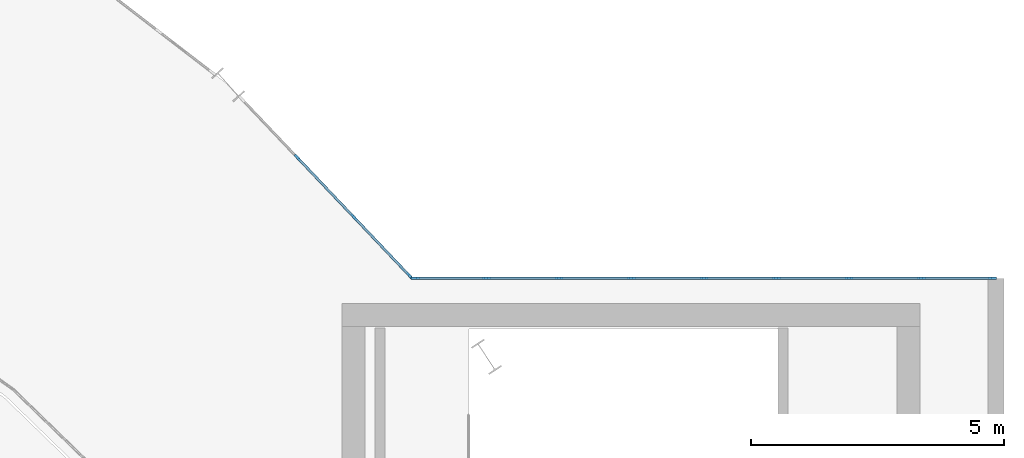
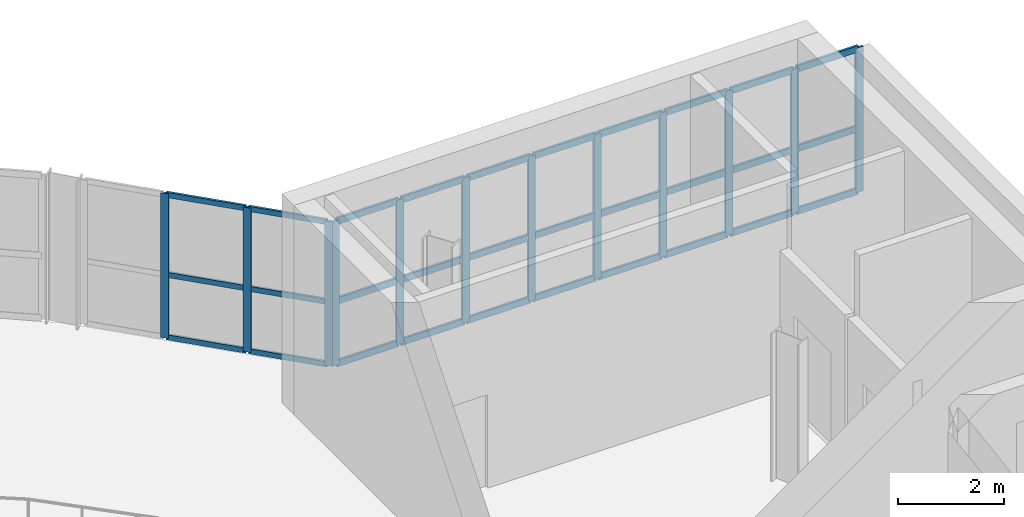
# One storey, part 22 of 40: 42 members, 2 elements without a shape of their own.
"""IFC4 building model written with IfcOpenShell, lengths in metres."""

from ifc_helpers import new_model, si_unit, direction, frame, origin, origin_2d, place, context, subcontext, project, spatial, rectangle, extrude, material, material_profile, profile_set, type_object, element, aggregate, save


model = new_model("IFC4")

# Units and contexts
model_context = context("Model", 3, precision=1e-05, world=origin(), true_north=direction((0.0, 1.0)))
body_context = subcontext(model_context, "Body", "Model", "MODEL_VIEW")
ifc_project = project(units=[si_unit("LENGTHUNIT", "METRE"), si_unit("AREAUNIT", "SQUARE_METRE"), si_unit("VOLUMEUNIT", "CUBIC_METRE"), si_unit("PLANEANGLEUNIT", "RADIAN"), si_unit("MASSUNIT", "GRAM", prefix="KILO")], contexts=[model_context])

# Site, building, storey
site_placement = place(None, origin())
site = spatial("IfcSite", under=ifc_project, at=site_placement, CompositionType="ELEMENT")
building_placement = place(site_placement, origin())
building = spatial("IfcBuilding", under=site, at=building_placement, Name="Glasvene Arena", CompositionType="ELEMENT")
storey_placement = place(building_placement, frame((0.0, 0.0, 24.0)))
storey = spatial("IfcBuildingStorey", under=building, at=storey_placement, Name="L05", CompositionType="ELEMENT", Elevation=24.0)

# Curtain wall, members
ifc_material_1 = material(Name="Low-emissivity laminated double glazing", Category="glass")
curtain_wall_type_1 = type_object("IfcCurtainWallType", Name="CW-FAC-L05-486x332", PredefinedType="USERDEFINED", material=ifc_material_1)
curtain_wall_1_placement = place(storey_placement, frame((127.60791015625, 104.553466796875, 0.0)))
curtain_wall_1 = element("IfcCurtainWall", 1, at=curtain_wall_1_placement, inside=storey, type_object=curtain_wall_type_1, Name="Unitised curtain wall CW-F-L05-150-1293-1028-24", ObjectType="CURTAIN WALL", PredefinedType="USERDEFINED")
ifc_material_2 = material(Name="Anodised architectural aluminium", Category="aluminium")
ifc_material_profile_1 = material_profile(ifc_material_2, rectangle(XDim=0.050048828125, YDim=0.159912109375, at=origin_2d()), Name="ALU MULLION 50x160")
ifc_profile_set_1 = profile_set([ifc_material_profile_1], Name="Anodised architectural aluminium")
member_type_1 = type_object("IfcMemberType", Name="CW-MUL-150", PredefinedType="MULLION", material=ifc_profile_set_1)
member_1_placement = place(storey_placement, frame((128.722900390625, 103.378662109375, 0.06005859375), z_axis=(0.0, 0.0, 1.0), x_axis=(0.725366727026, 0.688362630685, 0.0)))
member_1 = element("IfcMember", 2, at=member_1_placement, type_object=member_type_1, Name="CW-060 mullion 2", PredefinedType="MULLION", context=body_context, shape_type="SweptSolid", body=[
    extrude(rectangle(XDim=0.050048828125, YDim=0.159912109375, at=origin_2d()), origin(), (0.0, 0.0, 1.0), 3.31982421875),
])
member_2_placement = place(storey_placement, frame((129.837890625, 102.203857421875, 0.06005859375), z_axis=(0.0, 0.0, 1.0), x_axis=(0.725366727026, 0.688362630685, 0.0)))
member_2 = element("IfcMember", 3, at=member_2_placement, type_object=member_type_1, Name="CW-060 mullion 3", PredefinedType="MULLION", context=body_context, shape_type="SweptSolid", body=[
    extrude(rectangle(XDim=0.050048828125, YDim=0.159912109375, at=origin_2d()), origin(), (0.0, 0.0, 1.0), 3.31982421875),
])
member_3_placement = place(storey_placement, frame((130.935546875, 101.047119140625, 0.06005859375), z_axis=(0.0, 0.0, 1.0), x_axis=(0.725366727026, 0.688362630685, 0.0)))
member_3 = element("IfcMember", 4, at=member_3_placement, type_object=member_type_1, Name="CW-060 mullion 4", PredefinedType="MULLION", context=body_context, shape_type="SweptSolid", body=[
    extrude(rectangle(XDim=0.050048828125, YDim=0.159912109375, at=origin_2d()), origin(), (0.0, 0.0, 1.0), 3.31982421875),
])

curtain_wall_type_2 = type_object("IfcCurtainWallType", Name="CW-FAC-L05-1144x332", PredefinedType="USERDEFINED", material=ifc_material_1)
curtain_wall_2_placement = place(storey_placement, frame((131.020263671875, 101.0, 0.0)))
curtain_wall_2 = element("IfcCurtainWall", 5, at=curtain_wall_2_placement, inside=storey, type_object=curtain_wall_type_2, Name="Unitised curtain wall CW-F-L05-150-1367-1010-25", ObjectType="CURTAIN WALL", PredefinedType="USERDEFINED")
member_4_placement = place(storey_placement, frame((131.045166015625, 101.0, 0.06005859375), z_axis=(0.0, 0.0, 1.0), x_axis=(0.0, 1.0, 0.0)))
member_4 = element("IfcMember", 6, at=member_4_placement, type_object=member_type_1, Name="CW-066 mullion 1", PredefinedType="MULLION", context=body_context, shape_type="SweptSolid", body=[
    extrude(rectangle(XDim=0.050048828125, YDim=0.159912109375, at=origin_2d()), origin(), (0.0, 0.0, 1.0), 3.31982421875),
])
member_5_placement = place(storey_placement, frame((132.4501953125, 101.0, 0.06005859375), z_axis=(0.0, 0.0, 1.0), x_axis=(0.0, 1.0, 0.0)))
member_5 = element("IfcMember", 7, at=member_5_placement, type_object=member_type_1, Name="CW-066 mullion 2", PredefinedType="MULLION", context=body_context, shape_type="SweptSolid", body=[
    extrude(rectangle(XDim=0.050048828125, YDim=0.159912109375, at=origin_2d()), origin(), (0.0, 0.0, 1.0), 3.31982421875),
])
member_6_placement = place(storey_placement, frame((133.880126953125, 101.0, 0.06005859375), z_axis=(0.0, 0.0, 1.0), x_axis=(0.0, 1.0, 0.0)))
member_6 = element("IfcMember", 8, at=member_6_placement, type_object=member_type_1, Name="CW-066 mullion 3", PredefinedType="MULLION", context=body_context, shape_type="SweptSolid", body=[
    extrude(rectangle(XDim=0.050048828125, YDim=0.159912109375, at=origin_2d()), origin(), (0.0, 0.0, 1.0), 3.31982421875),
])
member_7_placement = place(storey_placement, frame((135.31005859375, 101.0, 0.06005859375), z_axis=(0.0, 0.0, 1.0), x_axis=(0.0, 1.0, 0.0)))
member_7 = element("IfcMember", 9, at=member_7_placement, type_object=member_type_1, Name="CW-066 mullion 4", PredefinedType="MULLION", context=body_context, shape_type="SweptSolid", body=[
    extrude(rectangle(XDim=0.050048828125, YDim=0.159912109375, at=origin_2d()), origin(), (0.0, 0.0, 1.0), 3.31982421875),
])
member_8_placement = place(storey_placement, frame((136.739990234375, 101.0, 0.06005859375), z_axis=(0.0, 0.0, 1.0), x_axis=(0.0, 1.0, 0.0)))
member_8 = element("IfcMember", 10, at=member_8_placement, type_object=member_type_1, Name="CW-066 mullion 5", PredefinedType="MULLION", context=body_context, shape_type="SweptSolid", body=[
    extrude(rectangle(XDim=0.050048828125, YDim=0.159912109375, at=origin_2d()), origin(), (0.0, 0.0, 1.0), 3.31982421875),
])
member_9_placement = place(storey_placement, frame((138.170166015625, 101.0, 0.06005859375), z_axis=(0.0, 0.0, 1.0), x_axis=(0.0, 1.0, 0.0)))
member_9 = element("IfcMember", 11, at=member_9_placement, type_object=member_type_1, Name="CW-066 mullion 6", PredefinedType="MULLION", context=body_context, shape_type="SweptSolid", body=[
    extrude(rectangle(XDim=0.050048828125, YDim=0.159912109375, at=origin_2d()), origin(), (0.0, 0.0, 1.0), 3.31982421875),
])
member_10_placement = place(storey_placement, frame((139.60009765625, 101.0, 0.06005859375), z_axis=(0.0, 0.0, 1.0), x_axis=(0.0, 1.0, 0.0)))
member_10 = element("IfcMember", 12, at=member_10_placement, type_object=member_type_1, Name="CW-066 mullion 7", PredefinedType="MULLION", context=body_context, shape_type="SweptSolid", body=[
    extrude(rectangle(XDim=0.050048828125, YDim=0.159912109375, at=origin_2d()), origin(), (0.0, 0.0, 1.0), 3.31982421875),
])
member_11_placement = place(storey_placement, frame((141.030029296875, 101.0, 0.06005859375), z_axis=(0.0, 0.0, 1.0), x_axis=(0.0, 1.0, 0.0)))
member_11 = element("IfcMember", 13, at=member_11_placement, type_object=member_type_1, Name="CW-066 mullion 8", PredefinedType="MULLION", context=body_context, shape_type="SweptSolid", body=[
    extrude(rectangle(XDim=0.050048828125, YDim=0.159912109375, at=origin_2d()), origin(), (0.0, 0.0, 1.0), 3.31982421875),
])
member_12_placement = place(storey_placement, frame((142.43505859375, 101.0, 0.06005859375), z_axis=(0.0, 0.0, 1.0), x_axis=(0.0, 1.0, 0.0)))
member_12 = element("IfcMember", 14, at=member_12_placement, type_object=member_type_1, Name="CW-066 mullion 9", PredefinedType="MULLION", context=body_context, shape_type="SweptSolid", body=[
    extrude(rectangle(XDim=0.050048828125, YDim=0.159912109375, at=origin_2d()), origin(), (0.0, 0.0, 1.0), 3.31982421875),
])

# Member
ifc_material_profile_2 = material_profile(ifc_material_2, rectangle(XDim=0.050048828125, YDim=0.1201171875, at=origin_2d()), Name="ALU TRANSOM 50x120")
ifc_profile_set_2 = profile_set([ifc_material_profile_2], Name="Anodised architectural aluminium")
member_type_2 = type_object("IfcMemberType", Name="CW-TRN-120", PredefinedType="USERDEFINED", material=ifc_profile_set_2)
member_13_placement = place(storey_placement, frame((128.739990234375, 103.360595703125, 0.0849609375), z_axis=(0.688356970183, -0.72537209872, 0.0), x_axis=(0.72537209872, 0.688356970183, 0.0)))
member_13 = element("IfcMember", 15, at=member_13_placement, type_object=member_type_2, Name="CW-060 transom 2.1", ObjectType="TRANSOM", PredefinedType="USERDEFINED", context=body_context, shape_type="SweptSolid", body=[
    extrude(rectangle(XDim=0.050048828125, YDim=0.1201171875, at=origin_2d()), origin(), (0.0, 0.0, 1.0), 1.56982421875),
])

member_14_placement = place(storey_placement, frame((128.739990234375, 103.360595703125, 1.52099609375), z_axis=(0.688356970183, -0.72537209872, 0.0), x_axis=(0.72537209872, 0.688356970183, 0.0)))
member_14 = element("IfcMember", 16, at=member_14_placement, type_object=member_type_2, Name="CW-060 transom 2.2", ObjectType="TRANSOM", PredefinedType="USERDEFINED", context=body_context, shape_type="SweptSolid", body=[
    extrude(rectangle(XDim=0.050048828125, YDim=0.1201171875, at=origin_2d()), origin(), (0.0, 0.0, 1.0), 1.56982421875),
])

member_15_placement = place(storey_placement, frame((128.739990234375, 103.360595703125, 3.35498046875), z_axis=(0.688356970183, -0.72537209872, 0.0), x_axis=(0.72537209872, 0.688356970183, 0.0)))
member_15 = element("IfcMember", 17, at=member_15_placement, type_object=member_type_2, Name="CW-060 transom 2.3", ObjectType="TRANSOM", PredefinedType="USERDEFINED", context=body_context, shape_type="SweptSolid", body=[
    extrude(rectangle(XDim=0.050048828125, YDim=0.1201171875, at=origin_2d()), origin(), (0.0, 0.0, 1.0), 1.56982421875),
])

member_16_placement = place(storey_placement, frame((129.85498046875, 102.185791015625, 0.0849609375), z_axis=(0.688292423357, -0.725433346317, 0.0), x_axis=(0.725433346317, 0.688292423357, 0.0)))
member_16 = element("IfcMember", 18, at=member_16_placement, type_object=member_type_2, Name="CW-060 transom 3.1", ObjectType="TRANSOM", PredefinedType="USERDEFINED", context=body_context, shape_type="SweptSolid", body=[
    extrude(rectangle(XDim=0.050048828125, YDim=0.1201171875, at=origin_2d()), origin(), (0.0, 0.0, 1.0), 1.544677734375),
])

member_17_placement = place(storey_placement, frame((129.85498046875, 102.185791015625, 1.52099609375), z_axis=(0.688292423357, -0.725433346317, 0.0), x_axis=(0.725433346317, 0.688292423357, 0.0)))
member_17 = element("IfcMember", 19, at=member_17_placement, type_object=member_type_2, Name="CW-060 transom 3.2", ObjectType="TRANSOM", PredefinedType="USERDEFINED", context=body_context, shape_type="SweptSolid", body=[
    extrude(rectangle(XDim=0.050048828125, YDim=0.1201171875, at=origin_2d()), origin(), (0.0, 0.0, 1.0), 1.544677734375),
])

member_18_placement = place(storey_placement, frame((129.85498046875, 102.185791015625, 3.35498046875), z_axis=(0.688292423357, -0.725433346317, 0.0), x_axis=(0.725433346317, 0.688292423357, 0.0)))
member_18 = element("IfcMember", 20, at=member_18_placement, type_object=member_type_2, Name="CW-060 transom 3.3", ObjectType="TRANSOM", PredefinedType="USERDEFINED", context=body_context, shape_type="SweptSolid", body=[
    extrude(rectangle(XDim=0.050048828125, YDim=0.1201171875, at=origin_2d()), origin(), (0.0, 0.0, 1.0), 1.544677734375),
])

aggregate(curtain_wall_1, [member_1, member_2, member_3, member_13, member_14, member_15, member_16, member_17, member_18])

ifc_material_profile_3 = material_profile(ifc_material_2, rectangle(XDim=0.050048828125, YDim=0.14990234375, at=origin_2d()), Name="ALU TRANSOM 50x150")
ifc_profile_set_3 = profile_set([ifc_material_profile_3], Name="Anodised architectural aluminium")
member_type_3 = type_object("IfcMemberType", Name="CW-TRN-150", PredefinedType="USERDEFINED", material=ifc_profile_set_3)
member_19_placement = place(storey_placement, frame((131.0703125, 101.0, 0.0849609375), z_axis=(1.0, 0.0, 0.0), x_axis=(0.0, 1.0, 0.0)))
member_19 = element("IfcMember", 21, at=member_19_placement, type_object=member_type_3, Name="CW-066 transom 1.1", ObjectType="TRANSOM", PredefinedType="USERDEFINED", context=body_context, shape_type="SweptSolid", body=[
    extrude(rectangle(XDim=0.050048828125, YDim=0.14990234375, at=origin_2d()), origin(), (0.0, 0.0, 1.0), 1.35498046875),
])

member_20_placement = place(storey_placement, frame((131.0703125, 101.0, 1.52099609375), z_axis=(1.0, 0.0, 0.0), x_axis=(0.0, 1.0, 0.0)))
member_20 = element("IfcMember", 22, at=member_20_placement, type_object=member_type_3, Name="CW-066 transom 1.2", ObjectType="TRANSOM", PredefinedType="USERDEFINED", context=body_context, shape_type="SweptSolid", body=[
    extrude(rectangle(XDim=0.050048828125, YDim=0.14990234375, at=origin_2d()), origin(), (0.0, 0.0, 1.0), 1.35498046875),
])

member_21_placement = place(storey_placement, frame((131.0703125, 101.0, 3.35498046875), z_axis=(1.0, 0.0, 0.0), x_axis=(0.0, 1.0, 0.0)))
member_21 = element("IfcMember", 23, at=member_21_placement, type_object=member_type_3, Name="CW-066 transom 1.3", ObjectType="TRANSOM", PredefinedType="USERDEFINED", context=body_context, shape_type="SweptSolid", body=[
    extrude(rectangle(XDim=0.050048828125, YDim=0.14990234375, at=origin_2d()), origin(), (0.0, 0.0, 1.0), 1.35498046875),
])

member_22_placement = place(storey_placement, frame((132.47509765625, 101.0, 0.0849609375), z_axis=(1.0, 0.0, 0.0), x_axis=(0.0, 1.0, 0.0)))
member_22 = element("IfcMember", 24, at=member_22_placement, type_object=member_type_3, Name="CW-066 transom 2.1", ObjectType="TRANSOM", PredefinedType="USERDEFINED", context=body_context, shape_type="SweptSolid", body=[
    extrude(rectangle(XDim=0.050048828125, YDim=0.14990234375, at=origin_2d()), origin(), (0.0, 0.0, 1.0), 1.380126953125),
])

member_23_placement = place(storey_placement, frame((132.47509765625, 101.0, 1.52099609375), z_axis=(1.0, 0.0, 0.0), x_axis=(0.0, 1.0, 0.0)))
member_23 = element("IfcMember", 25, at=member_23_placement, type_object=member_type_3, Name="CW-066 transom 2.2", ObjectType="TRANSOM", PredefinedType="USERDEFINED", context=body_context, shape_type="SweptSolid", body=[
    extrude(rectangle(XDim=0.050048828125, YDim=0.14990234375, at=origin_2d()), origin(), (0.0, 0.0, 1.0), 1.380126953125),
])

member_24_placement = place(storey_placement, frame((132.47509765625, 101.0, 3.35498046875), z_axis=(1.0, 0.0, 0.0), x_axis=(0.0, 1.0, 0.0)))
member_24 = element("IfcMember", 26, at=member_24_placement, type_object=member_type_3, Name="CW-066 transom 2.3", ObjectType="TRANSOM", PredefinedType="USERDEFINED", context=body_context, shape_type="SweptSolid", body=[
    extrude(rectangle(XDim=0.050048828125, YDim=0.14990234375, at=origin_2d()), origin(), (0.0, 0.0, 1.0), 1.380126953125),
])

member_25_placement = place(storey_placement, frame((133.905029296875, 101.0, 0.0849609375), z_axis=(1.0, 0.0, 0.0), x_axis=(0.0, 1.0, 0.0)))
member_25 = element("IfcMember", 27, at=member_25_placement, type_object=member_type_3, Name="CW-066 transom 3.1", ObjectType="TRANSOM", PredefinedType="USERDEFINED", context=body_context, shape_type="SweptSolid", body=[
    extrude(rectangle(XDim=0.050048828125, YDim=0.14990234375, at=origin_2d()), origin(), (0.0, 0.0, 1.0), 1.380126953125),
])

member_26_placement = place(storey_placement, frame((133.905029296875, 101.0, 1.52099609375), z_axis=(1.0, 0.0, 0.0), x_axis=(0.0, 1.0, 0.0)))
member_26 = element("IfcMember", 28, at=member_26_placement, type_object=member_type_3, Name="CW-066 transom 3.2", ObjectType="TRANSOM", PredefinedType="USERDEFINED", context=body_context, shape_type="SweptSolid", body=[
    extrude(rectangle(XDim=0.050048828125, YDim=0.14990234375, at=origin_2d()), origin(), (0.0, 0.0, 1.0), 1.380126953125),
])

member_27_placement = place(storey_placement, frame((133.905029296875, 101.0, 3.35498046875), z_axis=(1.0, 0.0, 0.0), x_axis=(0.0, 1.0, 0.0)))
member_27 = element("IfcMember", 29, at=member_27_placement, type_object=member_type_3, Name="CW-066 transom 3.3", ObjectType="TRANSOM", PredefinedType="USERDEFINED", context=body_context, shape_type="SweptSolid", body=[
    extrude(rectangle(XDim=0.050048828125, YDim=0.14990234375, at=origin_2d()), origin(), (0.0, 0.0, 1.0), 1.380126953125),
])

member_28_placement = place(storey_placement, frame((135.335205078125, 101.0, 0.0849609375), z_axis=(1.0, 0.0, 0.0), x_axis=(0.0, 1.0, 0.0)))
member_28 = element("IfcMember", 30, at=member_28_placement, type_object=member_type_3, Name="CW-066 transom 4.1", ObjectType="TRANSOM", PredefinedType="USERDEFINED", context=body_context, shape_type="SweptSolid", body=[
    extrude(rectangle(XDim=0.050048828125, YDim=0.14990234375, at=origin_2d()), origin(), (0.0, 0.0, 1.0), 1.3798828125),
])

member_29_placement = place(storey_placement, frame((135.335205078125, 101.0, 1.52099609375), z_axis=(1.0, 0.0, 0.0), x_axis=(0.0, 1.0, 0.0)))
member_29 = element("IfcMember", 31, at=member_29_placement, type_object=member_type_3, Name="CW-066 transom 4.2", ObjectType="TRANSOM", PredefinedType="USERDEFINED", context=body_context, shape_type="SweptSolid", body=[
    extrude(rectangle(XDim=0.050048828125, YDim=0.14990234375, at=origin_2d()), origin(), (0.0, 0.0, 1.0), 1.3798828125),
])

member_30_placement = place(storey_placement, frame((135.335205078125, 101.0, 3.35498046875), z_axis=(1.0, 0.0, 0.0), x_axis=(0.0, 1.0, 0.0)))
member_30 = element("IfcMember", 32, at=member_30_placement, type_object=member_type_3, Name="CW-066 transom 4.3", ObjectType="TRANSOM", PredefinedType="USERDEFINED", context=body_context, shape_type="SweptSolid", body=[
    extrude(rectangle(XDim=0.050048828125, YDim=0.14990234375, at=origin_2d()), origin(), (0.0, 0.0, 1.0), 1.3798828125),
])

member_31_placement = place(storey_placement, frame((136.76513671875, 101.0, 0.0849609375), z_axis=(1.0, 0.0, 0.0), x_axis=(0.0, 1.0, 0.0)))
member_31 = element("IfcMember", 33, at=member_31_placement, type_object=member_type_3, Name="CW-066 transom 5.1", ObjectType="TRANSOM", PredefinedType="USERDEFINED", context=body_context, shape_type="SweptSolid", body=[
    extrude(rectangle(XDim=0.050048828125, YDim=0.14990234375, at=origin_2d()), origin(), (0.0, 0.0, 1.0), 1.3798828125),
])

member_32_placement = place(storey_placement, frame((136.76513671875, 101.0, 1.52099609375), z_axis=(1.0, 0.0, 0.0), x_axis=(0.0, 1.0, 0.0)))
member_32 = element("IfcMember", 34, at=member_32_placement, type_object=member_type_3, Name="CW-066 transom 5.2", ObjectType="TRANSOM", PredefinedType="USERDEFINED", context=body_context, shape_type="SweptSolid", body=[
    extrude(rectangle(XDim=0.050048828125, YDim=0.14990234375, at=origin_2d()), origin(), (0.0, 0.0, 1.0), 1.3798828125),
])

member_33_placement = place(storey_placement, frame((136.76513671875, 101.0, 3.35498046875), z_axis=(1.0, 0.0, 0.0), x_axis=(0.0, 1.0, 0.0)))
member_33 = element("IfcMember", 35, at=member_33_placement, type_object=member_type_3, Name="CW-066 transom 5.3", ObjectType="TRANSOM", PredefinedType="USERDEFINED", context=body_context, shape_type="SweptSolid", body=[
    extrude(rectangle(XDim=0.050048828125, YDim=0.14990234375, at=origin_2d()), origin(), (0.0, 0.0, 1.0), 1.3798828125),
])

member_34_placement = place(storey_placement, frame((138.195068359375, 101.0, 0.0849609375), z_axis=(1.0, 0.0, 0.0), x_axis=(0.0, 1.0, 0.0)))
member_34 = element("IfcMember", 36, at=member_34_placement, type_object=member_type_3, Name="CW-066 transom 6.1", ObjectType="TRANSOM", PredefinedType="USERDEFINED", context=body_context, shape_type="SweptSolid", body=[
    extrude(rectangle(XDim=0.050048828125, YDim=0.14990234375, at=origin_2d()), origin(), (0.0, 0.0, 1.0), 1.3798828125),
])

member_35_placement = place(storey_placement, frame((138.195068359375, 101.0, 1.52099609375), z_axis=(1.0, 0.0, 0.0), x_axis=(0.0, 1.0, 0.0)))
member_35 = element("IfcMember", 37, at=member_35_placement, type_object=member_type_3, Name="CW-066 transom 6.2", ObjectType="TRANSOM", PredefinedType="USERDEFINED", context=body_context, shape_type="SweptSolid", body=[
    extrude(rectangle(XDim=0.050048828125, YDim=0.14990234375, at=origin_2d()), origin(), (0.0, 0.0, 1.0), 1.3798828125),
])

member_36_placement = place(storey_placement, frame((138.195068359375, 101.0, 3.35498046875), z_axis=(1.0, 0.0, 0.0), x_axis=(0.0, 1.0, 0.0)))
member_36 = element("IfcMember", 38, at=member_36_placement, type_object=member_type_3, Name="CW-066 transom 6.3", ObjectType="TRANSOM", PredefinedType="USERDEFINED", context=body_context, shape_type="SweptSolid", body=[
    extrude(rectangle(XDim=0.050048828125, YDim=0.14990234375, at=origin_2d()), origin(), (0.0, 0.0, 1.0), 1.3798828125),
])

member_37_placement = place(storey_placement, frame((139.625, 101.0, 0.0849609375), z_axis=(1.0, 0.0, 0.0), x_axis=(0.0, 1.0, 0.0)))
member_37 = element("IfcMember", 39, at=member_37_placement, type_object=member_type_3, Name="CW-066 transom 7.1", ObjectType="TRANSOM", PredefinedType="USERDEFINED", context=body_context, shape_type="SweptSolid", body=[
    extrude(rectangle(XDim=0.050048828125, YDim=0.14990234375, at=origin_2d()), origin(), (0.0, 0.0, 1.0), 1.380126953125),
])

member_38_placement = place(storey_placement, frame((139.625, 101.0, 1.52099609375), z_axis=(1.0, 0.0, 0.0), x_axis=(0.0, 1.0, 0.0)))
member_38 = element("IfcMember", 40, at=member_38_placement, type_object=member_type_3, Name="CW-066 transom 7.2", ObjectType="TRANSOM", PredefinedType="USERDEFINED", context=body_context, shape_type="SweptSolid", body=[
    extrude(rectangle(XDim=0.050048828125, YDim=0.14990234375, at=origin_2d()), origin(), (0.0, 0.0, 1.0), 1.380126953125),
])

member_39_placement = place(storey_placement, frame((139.625, 101.0, 3.35498046875), z_axis=(1.0, 0.0, 0.0), x_axis=(0.0, 1.0, 0.0)))
member_39 = element("IfcMember", 41, at=member_39_placement, type_object=member_type_3, Name="CW-066 transom 7.3", ObjectType="TRANSOM", PredefinedType="USERDEFINED", context=body_context, shape_type="SweptSolid", body=[
    extrude(rectangle(XDim=0.050048828125, YDim=0.14990234375, at=origin_2d()), origin(), (0.0, 0.0, 1.0), 1.380126953125),
])

member_40_placement = place(storey_placement, frame((141.054931640625, 101.0, 0.0849609375), z_axis=(1.0, 0.0, 0.0), x_axis=(0.0, 1.0, 0.0)))
member_40 = element("IfcMember", 42, at=member_40_placement, type_object=member_type_3, Name="CW-066 transom 8.1", ObjectType="TRANSOM", PredefinedType="USERDEFINED", context=body_context, shape_type="SweptSolid", body=[
    extrude(rectangle(XDim=0.050048828125, YDim=0.14990234375, at=origin_2d()), origin(), (0.0, 0.0, 1.0), 1.35498046875),
])

member_41_placement = place(storey_placement, frame((141.054931640625, 101.0, 1.52099609375), z_axis=(1.0, 0.0, 0.0), x_axis=(0.0, 1.0, 0.0)))
member_41 = element("IfcMember", 43, at=member_41_placement, type_object=member_type_3, Name="CW-066 transom 8.2", ObjectType="TRANSOM", PredefinedType="USERDEFINED", context=body_context, shape_type="SweptSolid", body=[
    extrude(rectangle(XDim=0.050048828125, YDim=0.14990234375, at=origin_2d()), origin(), (0.0, 0.0, 1.0), 1.35498046875),
])

member_42_placement = place(storey_placement, frame((141.054931640625, 101.0, 3.35498046875), z_axis=(1.0, 0.0, 0.0), x_axis=(0.0, 1.0, 0.0)))
member_42 = element("IfcMember", 44, at=member_42_placement, type_object=member_type_3, Name="CW-066 transom 8.3", ObjectType="TRANSOM", PredefinedType="USERDEFINED", context=body_context, shape_type="SweptSolid", body=[
    extrude(rectangle(XDim=0.050048828125, YDim=0.14990234375, at=origin_2d()), origin(), (0.0, 0.0, 1.0), 1.35498046875),
])

aggregate(curtain_wall_2, [member_4, member_5, member_6, member_7, member_8, member_9, member_10, member_11, member_12, member_19, member_20, member_21, member_22, member_23, member_24, member_25, member_26, member_27, member_28, member_29, member_30, member_31, member_32, member_33, member_34, member_35, member_36, member_37, member_38, member_39, member_40, member_41, member_42])

save(model, "model.ifc")
